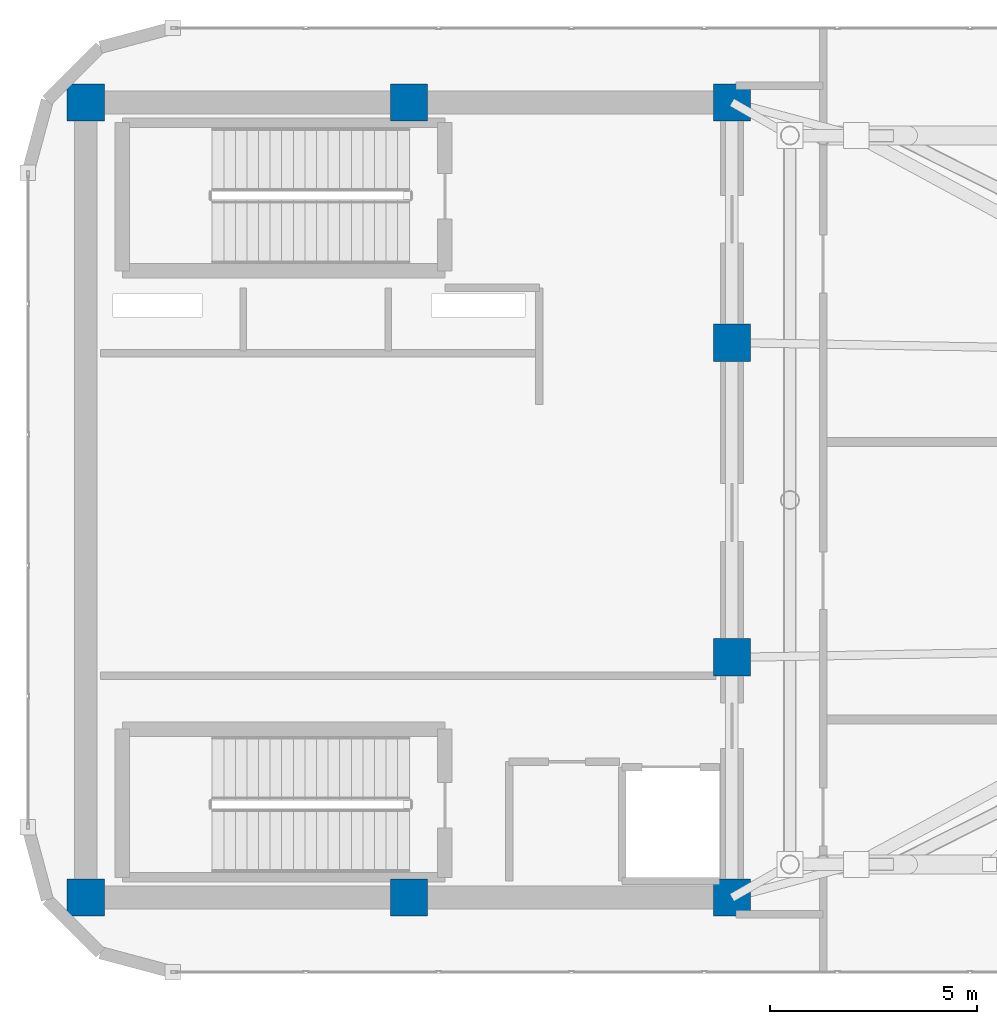
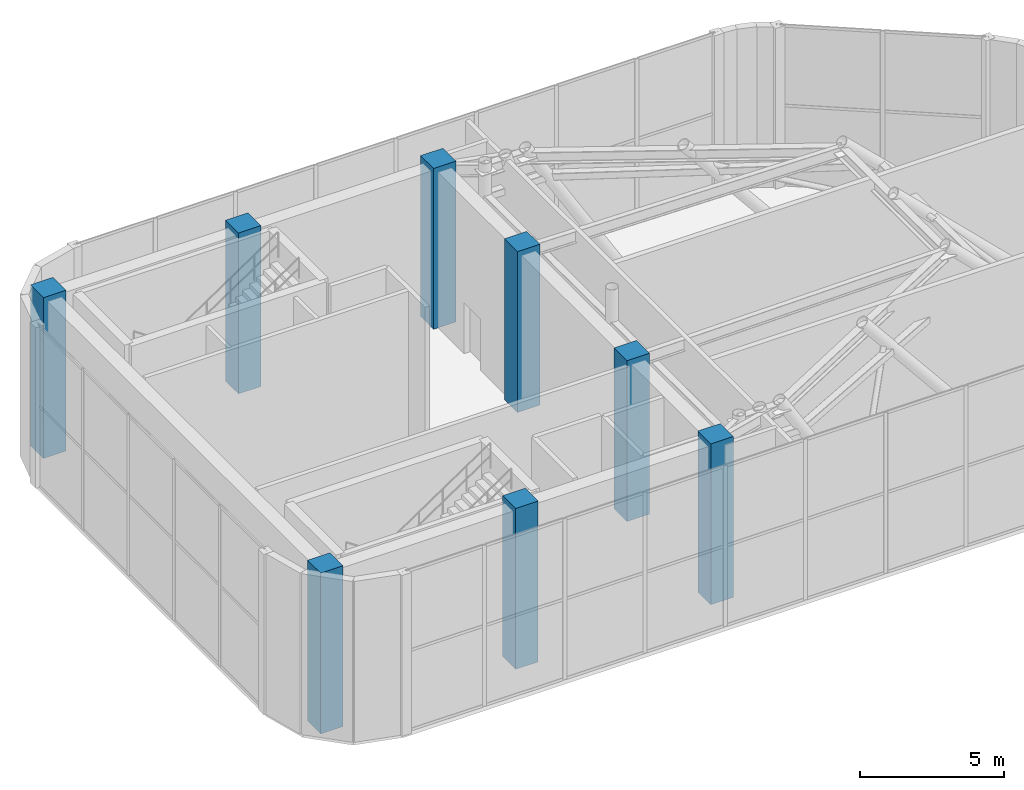
# One storey, part 1 of 23: 8 columns.
"""IFC4 building model written with IfcOpenShell, lengths in metres."""

from ifc_helpers import new_model, si_unit, direction, frame, origin, origin_2d, place, context, subcontext, project, spatial, rectangle, extrude, material, material_profile, profile_set, type_object, element, save


model = new_model("IFC4")

# Units and contexts
model_context = context("Model", 3, precision=1e-05, world=origin(), true_north=direction((0.0, 1.0)))
body_context = subcontext(model_context, "Body", "Model", "MODEL_VIEW")
ifc_project = project(units=[si_unit("LENGTHUNIT", "METRE"), si_unit("AREAUNIT", "SQUARE_METRE"), si_unit("VOLUMEUNIT", "CUBIC_METRE"), si_unit("PLANEANGLEUNIT", "RADIAN"), si_unit("MASSUNIT", "GRAM", prefix="KILO")], contexts=[model_context])

# Site, building, storey
site_placement = place(None, origin())
site = spatial("IfcSite", under=ifc_project, at=site_placement, CompositionType="ELEMENT")
building_placement = place(site_placement, origin())
building = spatial("IfcBuilding", under=site, at=building_placement, Name="An Khanh Terracotta Commons", CompositionType="ELEMENT")
storey_placement = place(building_placement, frame((0.0, 0.0, 322.0)))
storey = spatial("IfcBuildingStorey", under=building, at=storey_placement, Name="L81 Crown Heat-Recovery Plant", CompositionType="ELEMENT", Elevation=322.0)

# Columns
ifc_material = material(Name="Concrete C50/60", Category="concrete")
ifc_material_profile = material_profile(ifc_material, rectangle(XDim=0.89990234375, YDim=0.89990234375, at=origin_2d()), Name="RC900x900")
ifc_profile_set = profile_set([ifc_material_profile], Name="Concrete C50/60")
column_type = type_object("IfcColumnType", Name="COL-RC900x900", PredefinedType="COLUMN", material=ifc_profile_set)
for number, where, z_axis, x_axis, name in (
    (1, (21.60009765625, 14.39990234375, 0.0), (0.0, 0.0, 1.0), (1.0, 0.0, 0.0), "L81 Crown Heat-Recovery Plant Core Boundary Column CC-01"),
    (2, (29.39990234375, 14.39990234375, 0.0), (0.0, 0.0, 1.0), (1.0, 0.0, 0.0), "L81 Crown Heat-Recovery Plant Core Boundary Column CC-02"),
    (3, (37.199951171875, 14.39990234375, 0.0), (0.0, 0.0, 1.0), (1.0, 0.0, 0.0), "L81 Crown Heat-Recovery Plant Core Boundary Column CC-03"),
    (4, (37.199951171875, 20.199951171875, 0.0), (0.0, 0.0, 1.0), (1.0, 0.0, 0.0), "L81 Crown Heat-Recovery Plant Core Boundary Column CC-04"),
    (5, (37.199951171875, 27.800048828125, 0.0), (0.0, 0.0, 1.0), (1.0, 0.0, 0.0), "L81 Crown Heat-Recovery Plant Core Boundary Column CC-05"),
    (6, (37.199951171875, 33.60009765625, 0.0), (0.0, 0.0, 1.0), (1.0, 0.0, 0.0), "L81 Crown Heat-Recovery Plant Core Boundary Column CC-06"),
    (7, (29.39990234375, 33.60009765625, 0.0), (0.0, 0.0, 1.0), (1.0, 0.0, 0.0), "L81 Crown Heat-Recovery Plant Core Boundary Column CC-07"),
    (8, (21.60009765625, 33.60009765625, 0.0), (0.0, 0.0, 1.0), (1.0, 0.0, 0.0), "L81 Crown Heat-Recovery Plant Core Boundary Column CC-08"),
):
    element("IfcColumn", number, at=place(storey_placement, frame(where, z_axis=z_axis, x_axis=x_axis)), inside=storey, type_object=column_type, Name=name, PredefinedType="COLUMN", context=body_context, shape_type="SweptSolid", body=[
        extrude(rectangle(XDim=0.89990234375, YDim=0.89990234375, at=origin_2d()), origin(), (0.0, 0.0, 1.0), 6.800048828125),
    ])

save(model, "model.ifc")
